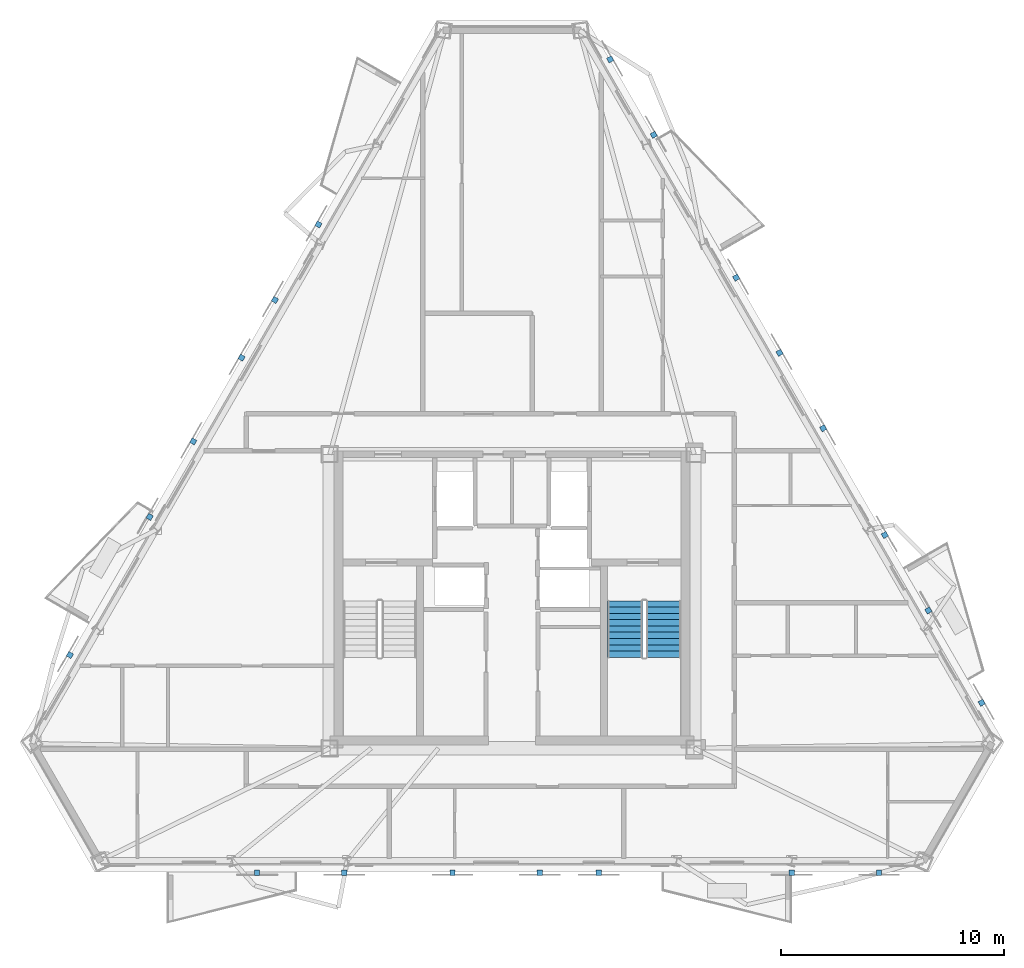
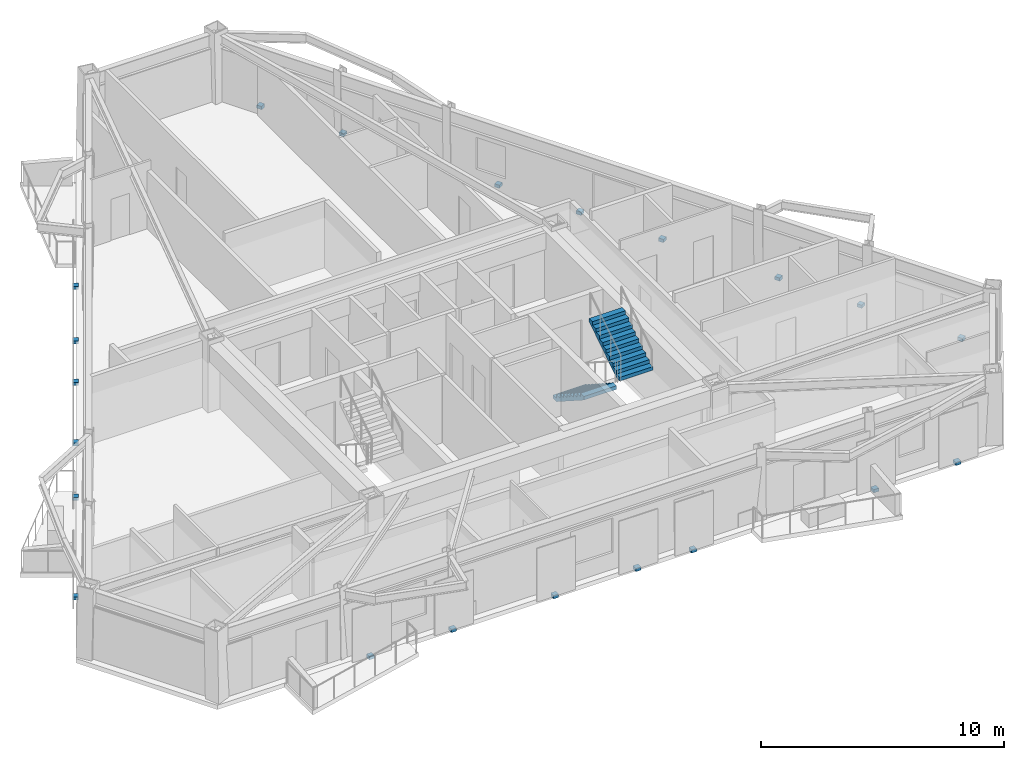
# One storey, part 6 of 9: 21 discrete accessories, 2 stair flights, 1 element without a shape of its own.
"""IFC4 building model written with IfcOpenShell, lengths in metres."""

import ifcopenshell
import ifcopenshell.guid

model = None  # the IFC model being written
_history = None  # IfcOwnerHistory: only IFC2X3 demands one
_inside = {}  # id of a spatial element -> (the spatial element, [elements in it])
_under = {}  # id of a project, library or spatial element -> (it, [spatial elements below it])
_declared = {}  # id of a project -> (the project, [libraries it declares])
_typed = {}  # id of a type object -> (the type object, [elements of that type])
_made_of = {}  # id of a material, layer set ... -> (it, [elements and type objects made of it])


def new_model(schema):
    """Start an empty IFC model of exactly this schema.

    Asked for "IFC4X3", IfcOpenShell would pick the latest addendum, in which some entities
    have other attributes; the version numbers below select the first issue.
    IFC2X3 requires an IfcOwnerHistory on every rooted entity: one is made here for all.
    """
    global model, _history
    if schema == "IFC4X3":
        model = ifcopenshell.file(schema_version=(4, 3, 0, 0))
    else:
        model = ifcopenshell.file(schema=schema)
    _inside.clear()
    _under.clear()
    _declared.clear()
    _typed.clear()
    _made_of.clear()
    _history = None
    if model.schema == "IFC2X3":
        org = make("IfcOrganization", Name="unknown")
        user = make(
            "IfcPersonAndOrganization",
            ThePerson=make("IfcPerson", FamilyName="unknown"),
            TheOrganization=org,
        )
        app = make(
            "IfcApplication",
            ApplicationDeveloper=org,
            Version="unknown",
            ApplicationFullName="unknown",
            ApplicationIdentifier="unknown",
        )
        _history = make(
            "IfcOwnerHistory",
            OwningUser=user,
            OwningApplication=app,
            ChangeAction="ADDED",
            CreationDate=0,
        )
    return model


def make(cls, **values):
    """One entity of the class cls with the attributes given. An attribute that is None is left unset."""
    return model.create_entity(
        cls, **{name: value for name, value in values.items() if value is not None}
    )


def rooted(cls, **values):
    """An entity with a GlobalId (a new one), such as an element, a storey or a relation."""
    return make(cls, GlobalId=ifcopenshell.guid.new(), OwnerHistory=_history, **values)


def si_unit(unit_type, name, prefix=None):
    """IfcSIUnit, for example si_unit("LENGTHUNIT", "METRE", prefix="MILLI")."""
    return make("IfcSIUnit", UnitType=unit_type, Prefix=prefix, Name=name)


def assignment(units):
    """IfcUnitAssignment: the units of a project."""
    return None if units is None else make("IfcUnitAssignment", Units=units)


def point(xyz):
    """IfcCartesianPoint."""
    return None if xyz is None else make("IfcCartesianPoint", Coordinates=xyz)


def direction(xyz):
    """IfcDirection."""
    return None if xyz is None else make("IfcDirection", DirectionRatios=xyz)


def frame(location, z_axis=None, x_axis=None):
    """IfcAxis2Placement3D, a coordinate frame: its origin and axes. An axis left out is left unset."""
    return make(
        "IfcAxis2Placement3D",
        Location=point(location),
        Axis=direction(z_axis),
        RefDirection=direction(x_axis),
    )


def frame_2d(location, x_axis=None):
    """IfcAxis2Placement2D, a coordinate frame in the plane: its origin and x axis."""
    return make(
        "IfcAxis2Placement2D", Location=point(location), RefDirection=direction(x_axis)
    )


def origin():
    """The frame at (0, 0, 0) with its axes left unset."""
    return frame((0.0, 0.0, 0.0))


def origin_2d():
    """The frame at (0, 0) in the plane with its x axis left unset."""
    return frame_2d((0.0, 0.0))


def place(relative_to, where):
    """IfcLocalPlacement: puts the frame where relative to a parent placement (None: the world)."""
    return make(
        "IfcLocalPlacement", PlacementRelTo=relative_to, RelativePlacement=where
    )


def context(
    kind, dimensions, precision=None, world=None, true_north=None, identifier=None
):
    """IfcGeometricRepresentationContext, for example the 3D "Model" context."""
    return make(
        "IfcGeometricRepresentationContext",
        ContextIdentifier=identifier,
        ContextType=kind,
        CoordinateSpaceDimension=dimensions,
        Precision=precision,
        WorldCoordinateSystem=world,
        TrueNorth=true_north,
    )


def subcontext(parent, identifier, kind, view, scale=None):
    """IfcGeometricRepresentationSubContext, for example "Body" below "Model"."""
    return make(
        "IfcGeometricRepresentationSubContext",
        ContextIdentifier=identifier,
        ContextType=kind,
        ParentContext=parent,
        TargetScale=scale,
        TargetView=view,
    )


def project(units=None, contexts=None):
    """IfcProject with its units and contexts."""
    return rooted(
        "IfcProject",
        Name="project",
        RepresentationContexts=contexts,
        UnitsInContext=assignment(units),
    )


def spatial(cls, under=None, at=None, **own):
    """A site, building, storey or space (cls), placed at a placement, below another one or the project."""
    s = rooted(cls, ObjectPlacement=at, **own)
    if under is not None:
        _under.setdefault(under.id(), (under, []))[1].append(s)
    return s


def polyline(points):
    """IfcPolyline through the points."""
    return make("IfcPolyline", Points=[point(p) for p in points])


def profile(cls, at=None, kind="AREA", **sizes):
    """A parametric profile (cls). Its sizes go by their IFC names, for example OverallWidth=200.0."""
    return make(cls, ProfileType=kind, Position=at, **sizes)


def rectangle(**sizes):
    """IfcRectangleProfileDef."""
    return profile("IfcRectangleProfileDef", **sizes)


def outline(outer, holes=None, kind="AREA"):
    """IfcArbitraryClosedProfileDef: a profile drawn as a closed curve; with holes, ...WithVoids."""
    if holes is None:
        return make("IfcArbitraryClosedProfileDef", ProfileType=kind, OuterCurve=outer)
    return make(
        "IfcArbitraryProfileDefWithVoids",
        ProfileType=kind,
        OuterCurve=outer,
        InnerCurves=holes,
    )


def extrude(swept, where, along, depth):
    """IfcExtrudedAreaSolid: the profile swept, set in the frame where, extruded along a direction by depth."""
    return make(
        "IfcExtrudedAreaSolid",
        SweptArea=swept,
        Position=where,
        ExtrudedDirection=direction(along),
        Depth=depth,
    )


def shape(context_of_items, identifier, shape_type, items):
    """IfcShapeRepresentation: the items that make up one representation, for example the "Body"."""
    return make(
        "IfcShapeRepresentation",
        ContextOfItems=context_of_items,
        RepresentationIdentifier=identifier,
        RepresentationType=shape_type,
        Items=items,
    )


def material(Name=None, Category=None):
    """IfcMaterial."""
    return make("IfcMaterial", Name=Name, Category=Category)


def made_of(thing, what):
    """Note that an element or type object is made of a material, layer set ...; save() writes the relation."""
    if what is not None:
        _made_of.setdefault(what.id(), (what, []))[1].append(thing)
    return thing


def type_object(cls, material=None, **own):
    """A type object (cls), such as IfcWallType, which elements share."""
    return made_of(rooted(cls, **own), material)


def element(
    cls,
    number,
    at=None,
    inside=None,
    cuts=None,
    type_object=None,
    material=None,
    context=None,
    identifier="Body",
    shape_type=None,
    held_by="IfcProductDefinitionShape",
    body=None,
    shapes=None,
    **own,
):
    """One element of the class cls, such as IfcWall. Its Tag is "e" and its number.

    at: its placement. inside: the storey or other place that contains it. cuts: it is an
    opening in that element (IfcRelVoidsElement). A single representation is given by context,
    identifier, shape_type and body (its items); several are given by shapes. held_by: the class
    of the entity that holds the representations. save() writes the other relations.
    """
    e = rooted(cls, Tag="e%d" % number, ObjectPlacement=at, **own)
    if body is not None:
        shapes = [shape(context, identifier, shape_type, body)]
    if shapes is not None:
        e.Representation = make(held_by, Representations=shapes)
    if inside is not None:
        _inside.setdefault(inside.id(), (inside, []))[1].append(e)
    if cuts is not None:
        rooted(
            "IfcRelVoidsElement", RelatingBuildingElement=cuts, RelatedOpeningElement=e
        )
    if type_object is not None:
        _typed.setdefault(type_object.id(), (type_object, []))[1].append(e)
    return made_of(e, material)


def aggregate(whole, parts):
    """IfcRelAggregates: a whole, such as a stair, and the parts it consists of."""
    return rooted("IfcRelAggregates", RelatingObject=whole, RelatedObjects=parts)


def save(model, path):
    """Write the relations noted so far, then the file.

    IfcRelAggregates (storeys below a building ...), IfcRelContainedInSpatialStructure (elements
    in a storey), IfcRelDefinesByType, IfcRelAssociatesMaterial and IfcRelDeclares: one each for
    every whole, place, type object, material and project.
    """
    for whole, parts in _under.values():
        aggregate(whole, parts)
    for where, things in _inside.values():
        rooted(
            "IfcRelContainedInSpatialStructure",
            RelatedElements=things,
            RelatingStructure=where,
        )
    for kind, things in _typed.values():
        rooted("IfcRelDefinesByType", RelatedObjects=things, RelatingType=kind)
    for what, things in _made_of.values():
        rooted("IfcRelAssociatesMaterial", RelatedObjects=things, RelatingMaterial=what)
    for by, libraries in _declared.values():
        rooted("IfcRelDeclares", RelatingContext=by, RelatedDefinitions=libraries)
    model.write(path)


model = new_model("IFC4")

# Units and contexts
model_context = context("Model", 3, precision=1e-05, world=origin(), true_north=direction((0.0, 1.0)))
body_context = subcontext(model_context, "Body", "Model", "MODEL_VIEW")
ifc_project = project(units=[si_unit("LENGTHUNIT", "METRE"), si_unit("AREAUNIT", "SQUARE_METRE"), si_unit("VOLUMEUNIT", "CUBIC_METRE"), si_unit("PLANEANGLEUNIT", "RADIAN"), si_unit("MASSUNIT", "GRAM", prefix="KILO")], contexts=[model_context])

# Site, building, storey
site_placement = place(None, origin())
site = spatial("IfcSite", under=ifc_project, at=site_placement, CompositionType="ELEMENT")
building_placement = place(site_placement, origin())
building = spatial("IfcBuilding", under=site, at=building_placement, Name="Oramaril Tower", CompositionType="ELEMENT")
storey_placement = place(building_placement, frame((0.0, 0.0, 230.699951171875)))
storey = spatial("IfcBuildingStorey", under=building, at=storey_placement, Name="L61", CompositionType="ELEMENT", Elevation=230.699951171875)

# Stair, stair flights
ifc_material_1 = material(Name="Concrete C50/60", Category="concrete")
stair_type = type_object("IfcStairType", Name="STT-DG-3600", PredefinedType="HALF_TURN_STAIR", material=ifc_material_1)
stair_placement = place(storey_placement, origin())
stair = element("IfcStair", 1, at=stair_placement, inside=storey, type_object=stair_type, Name="L61 Protected PFP Exit Stair ST-2", PredefinedType="HALF_TURN_STAIR")
ifc_material_2 = material(Name="Concrete C50/60", Category="concrete")
stair_flight_type = type_object("IfcStairFlightType", Name="SFT-DG-3600", PredefinedType="STRAIGHT", material=ifc_material_2)
stair_flight_1_placement = place(storey_placement, frame((42.56005859375, 17.590087890625, 0.0), z_axis=(0.0, 0.0, 1.0), x_axis=(0.0, -1.0, 0.0)))
stair_flight_1 = element("IfcStairFlight", 2, at=stair_flight_1_placement, type_object=stair_flight_type, Name="ST-2 flight 1", NumberOfRisers=10, NumberOfTreads=9, PredefinedType="STRAIGHT", RiserHeight=0.18, TreadLength=0.28, context=body_context, shape_type="SweptSolid", body=[
    extrude(outline(polyline([(0.0, 0.0), (0.0, 0.179931640625), (0.280029296875, 0.179931640625), (0.280029296875, 0.360107421875), (0.56005859375, 0.360107421875), (0.56005859375, 0.5400390625), (0.840087890625, 0.5400390625), (0.840087890625, 0.719970703125), (1.1201171875, 0.719970703125), (1.1201171875, 0.89990234375), (1.39990234375, 0.89990234375), (1.39990234375, 1.080078125), (1.679931640625, 1.080078125), (1.679931640625, 1.260009765625), (1.9599609375, 1.260009765625), (1.9599609375, 1.43994140625), (2.239990234375, 1.43994140625), (2.239990234375, 1.6201171875), (2.52001953125, 1.6201171875), (2.52001953125, 1.800048828125), (2.52001953125, 1.44189453125), (0.277099609375, 0.0), (0.0, 0.0)])), frame((0.0, 0.780029296875, 0.0), z_axis=(0.0, -1.0, 0.0), x_axis=(1.0, 0.0, 0.0)), (0.0, 0.0, 1.0), 1.56005859375),
])
stair_flight_2_placement = place(storey_placement, frame((44.27001953125, 15.070068359375, 1.800048828125), z_axis=(0.0, 0.0, 1.0), x_axis=(0.0, 1.0, 0.0)))
stair_flight_2 = element("IfcStairFlight", 3, at=stair_flight_2_placement, type_object=stair_flight_type, Name="ST-2 flight 2", NumberOfRisers=10, NumberOfTreads=9, PredefinedType="STRAIGHT", RiserHeight=0.18, TreadLength=0.28, context=body_context, shape_type="SweptSolid", body=[
    extrude(outline(polyline([(0.0, 0.0), (0.0, 0.179931640625), (0.280029296875, 0.179931640625), (0.280029296875, 0.360107421875), (0.56005859375, 0.360107421875), (0.56005859375, 0.5400390625), (0.840087890625, 0.5400390625), (0.840087890625, 0.719970703125), (1.1201171875, 0.719970703125), (1.1201171875, 0.89990234375), (1.39990234375, 0.89990234375), (1.39990234375, 1.080078125), (1.679931640625, 1.080078125), (1.679931640625, 1.260009765625), (1.9599609375, 1.260009765625), (1.9599609375, 1.43994140625), (2.239990234375, 1.43994140625), (2.239990234375, 1.6201171875), (2.52001953125, 1.6201171875), (2.52001953125, 1.800048828125), (2.52001953125, 1.44189453125), (0.277099609375, 0.0), (0.0, 0.0)])), frame((0.0, 0.780029296875, 0.0), z_axis=(0.0, -1.0, 0.0), x_axis=(1.0, 0.0, 0.0)), (0.0, 0.0, 1.0), 1.56005859375),
])
aggregate(stair, [stair_flight_1, stair_flight_2])

# Discrete accessories
for number, where, z_axis, x_axis, name in (
    (4, (26.09228515625, 5.43408203125, -0.14013671875), (0.0, 0.0, 1.0), (1.0, 0.0, 0.0), "L61 Solar Screen Slab Bracket"),
    (5, (29.9921875, 5.43408203125, -0.14013671875), (0.0, 0.0, 1.0), (1.0, 0.0, 0.0), "L61 Solar Screen Slab Bracket"),
    (6, (34.8369140625, 5.43408203125, -0.14013671875), (0.0, 0.0, 1.0), (1.0, 0.0, 0.0), "L61 Solar Screen Slab Bracket"),
    (7, (38.737060546875, 5.43408203125, -0.14013671875), (0.0, 0.0, 1.0), (1.0, 0.0, 0.0), "L61 Solar Screen Slab Bracket"),
    (8, (41.385986328125, 5.43408203125, -0.14013671875), (0.0, 0.0, 1.0), (1.0, 0.0, 0.0), "L61 Solar Screen Slab Bracket"),
    (9, (50.022705078125, 5.43408203125, -0.14013671875), (0.0, 0.0, 1.0), (1.0, 0.0, 0.0), "L61 Solar Screen Slab Bracket"),
    (10, (53.922607421875, 5.43408203125, -0.14013671875), (0.0, 0.0, 1.0), (1.0, 0.0, 0.0), "L61 Solar Screen Slab Bracket"),
    (11, (58.515380859375, 13.031982421875, -0.14013671875), (0.0, 0.0, 1.0), (-0.500001511499, 0.866024531118, 0.0), "L61 Solar Screen Slab Bracket"),
    (12, (56.130615234375, 17.16259765625, -0.14013671875), (0.0, 0.0, 1.0), (-0.500001511499, 0.866024531118, 0.0), "L61 Solar Screen Slab Bracket"),
    (13, (54.1806640625, 20.5400390625, -0.14013671875), (0.0, 0.0, 1.0), (-0.500001511499, 0.866024531118, 0.0), "L61 Solar Screen Slab Bracket"),
    (14, (43.842529296875, 38.446044921875, -0.14013671875), (0.0, 0.0, 1.0), (-0.500001511499, 0.866024531118, 0.0), "L61 Solar Screen Slab Bracket"),
    (15, (41.892578125, 41.823486328125, -0.14013671875), (0.0, 0.0, 1.0), (-0.500001511499, 0.866024531118, 0.0), "L61 Solar Screen Slab Bracket"),
    (16, (51.4228515625, 25.31689453125, -0.14013671875), (0.0, 0.0, 1.0), (-0.500001511499, 0.866024531118, 0.0), "L61 Solar Screen Slab Bracket"),
    (17, (49.472900390625, 28.6943359375, -0.14013671875), (0.0, 0.0, 1.0), (-0.500001511499, 0.866024531118, 0.0), "L61 Solar Screen Slab Bracket"),
    (18, (47.53173828125, 32.056396484375, -0.14013671875), (0.0, 0.0, 1.0), (-0.500001511499, 0.866024531118, 0.0), "L61 Solar Screen Slab Bracket"),
    (19, (23.2373046875, 24.727783203125, -0.14013671875), (0.0, 0.0, 1.0), (-0.500001511499, -0.866024531118, 0.0), "L61 Solar Screen Slab Bracket"),
    (20, (21.287109375, 21.350341796875, -0.14013671875), (0.0, 0.0, 1.0), (-0.500001511499, -0.866024531118, 0.0), "L61 Solar Screen Slab Bracket"),
    (21, (17.7197265625, 15.17138671875, -0.14013671875), (0.0, 0.0, 1.0), (-0.500001511499, -0.866024531118, 0.0), "L61 Solar Screen Slab Bracket"),
    (22, (28.841796875, 34.435302734375, -0.14013671875), (0.0, 0.0, 1.0), (-0.500001511499, -0.866024531118, 0.0), "L61 Solar Screen Slab Bracket"),
    (23, (26.8916015625, 31.0576171875, -0.14013671875), (0.0, 0.0, 1.0), (-0.500001511499, -0.866024531118, 0.0), "L61 Solar Screen Slab Bracket"),
    (24, (25.39990234375, 28.47412109375, -0.14013671875), (0.0, 0.0, 1.0), (-0.500001511499, -0.866024531118, 0.0), "L61 Solar Screen Slab Bracket"),
):
    element("IfcDiscreteAccessory", number, at=place(storey_placement, frame(where, z_axis=z_axis, x_axis=x_axis)), inside=storey, Name=name, PredefinedType="BRACKET", context=body_context, shape_type="SweptSolid", body=[
        extrude(rectangle(XDim=0.239990234375, YDim=0.239990234375, at=origin_2d()), origin(), (0.0, 0.0, 1.0), 0.159912109375),
    ])

save(model, "model.ifc")
